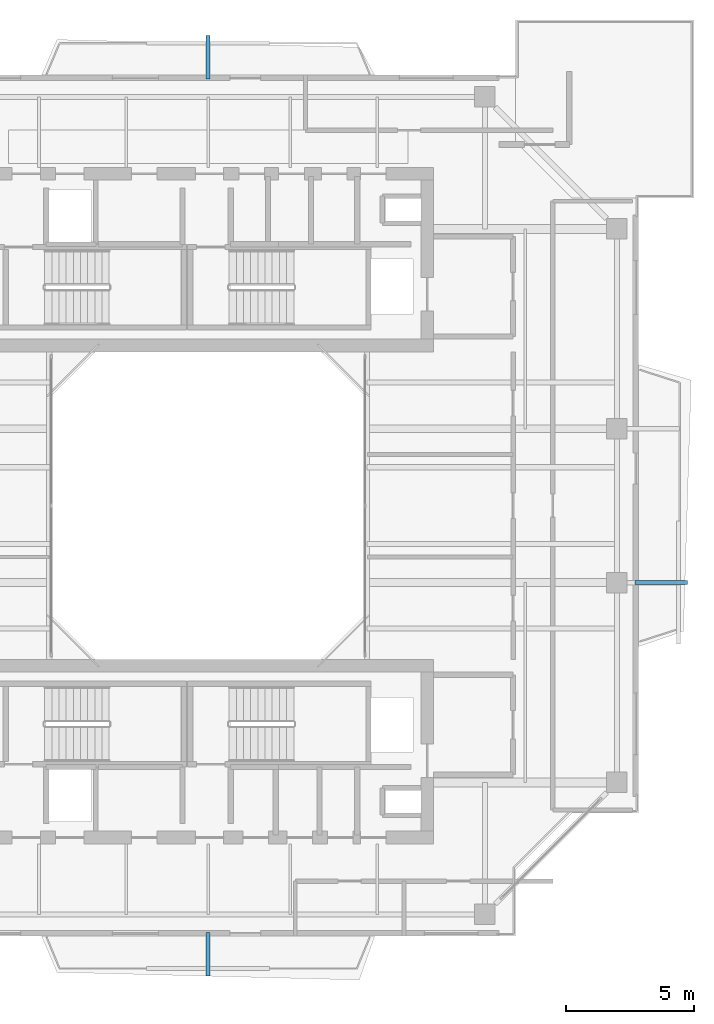
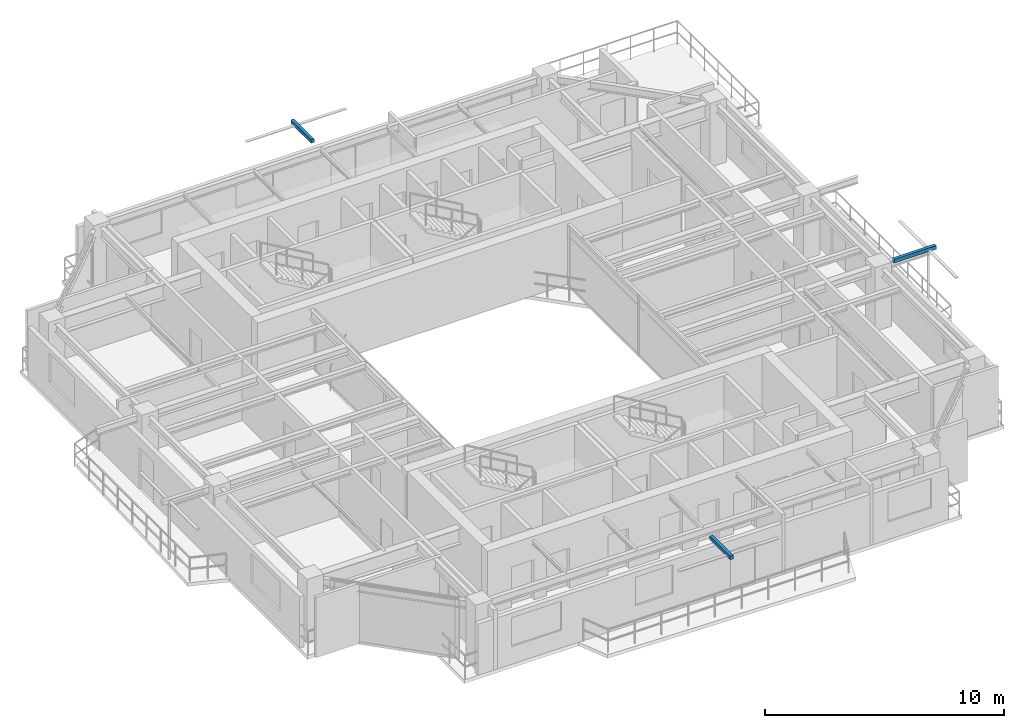
# One storey, part 13 of 16: 3 discrete accessories.
"""IFC4 building model written with IfcOpenShell, lengths in metres."""

from ifc_helpers import new_model, si_unit, direction, frame, origin, origin_2d, place, context, subcontext, project, spatial, rectangle, extrude, source, transform, mapped, material, type_object, element, save


model = new_model("IFC4")

# Units and contexts
model_context = context("Model", 3, precision=1e-05, world=origin(), true_north=direction((0.0, 1.0)))
body_context = subcontext(model_context, "Body", "Model", "MODEL_VIEW")
ifc_project = project(units=[si_unit("LENGTHUNIT", "METRE"), si_unit("AREAUNIT", "SQUARE_METRE"), si_unit("VOLUMEUNIT", "CUBIC_METRE"), si_unit("PLANEANGLEUNIT", "RADIAN"), si_unit("MASSUNIT", "GRAM", prefix="KILO"), si_unit("THERMODYNAMICTEMPERATUREUNIT", "KELVIN"), si_unit("POWERUNIT", "WATT")], contexts=[model_context])

# Site, building, storey
site_placement = place(None, origin())
site = spatial("IfcSite", under=ifc_project, at=site_placement, CompositionType="ELEMENT")
building_placement = place(site_placement, origin())
building = spatial("IfcBuilding", under=site, at=building_placement, Name="Qiaomeng Ring Towers", CompositionType="ELEMENT")
storey_placement = place(building_placement, frame((0.0, 0.0, 223.0)))
storey = spatial("IfcBuildingStorey", under=building, at=storey_placement, Name="L65", CompositionType="ELEMENT", Elevation=223.0)

# Discrete accessories
ifc_material = material(Name="Stainless steel 316", Category="steel")
discrete_accessory_type = type_object("IfcDiscreteAccessoryType", Name="ARC-ACC-BRACKET", PredefinedType="BRACKET", material=ifc_material)
shared_shape_1 = source(origin(), body_context, "Body", "SweptSolid", [
    extrude(rectangle(XDim=2.050048828125, YDim=0.159912109375, at=origin_2d()), origin(), (0.0, 0.0, 1.0), 0.179931640625),
])
discrete_accessory_1_placement = place(storey_placement, frame((36.675048828125, 20.0, 2.89990234375), z_axis=(0.0, 0.0, 1.0), x_axis=(1.0, 0.0, 0.0)))
element("IfcDiscreteAccessory", 1, at=discrete_accessory_1_placement, inside=storey, type_object=discrete_accessory_type, Name="L65 Stainless Outer-Skin Tie Bracket E", PredefinedType="BRACKET", context=body_context, shape_type="MappedRepresentation", body=[
    mapped(shared_shape_1, transform((0.0, 0.0, 0.0), x_axis=(1.0, 0.0, 0.0), y_axis=(0.0, 1.0, 0.0), z_axis=(0.0, 0.0, 1.0), scale=1.0)),
])
shared_shape_2 = source(origin(), body_context, "Body", "SweptSolid", [
    extrude(rectangle(XDim=0.159912109375, YDim=1.7099609375, at=origin_2d()), origin(), (0.0, 0.0, 1.0), 0.179931640625),
])
discrete_accessory_2_placement = place(storey_placement, frame((19.0, 5.4951171875, 2.89990234375), z_axis=(0.0, 0.0, 1.0), x_axis=(1.0, 0.0, 0.0)))
element("IfcDiscreteAccessory", 2, at=discrete_accessory_2_placement, inside=storey, type_object=discrete_accessory_type, Name="L65 Stainless Outer-Skin Tie Bracket S", PredefinedType="BRACKET", context=body_context, shape_type="MappedRepresentation", body=[
    mapped(shared_shape_2, transform((0.0, 0.0, 0.0), x_axis=(1.0, 0.0, 0.0), y_axis=(0.0, 1.0, 0.0), z_axis=(0.0, 0.0, 1.0), scale=1.0)),
])
shared_shape_3 = source(origin(), body_context, "Body", "SweptSolid", [
    extrude(rectangle(XDim=0.159912109375, YDim=1.68994140625, at=origin_2d()), origin(), (0.0, 0.0, 1.0), 0.179931640625),
])
discrete_accessory_3_placement = place(storey_placement, frame((19.0, 40.4951171875, 2.89990234375), z_axis=(0.0, 0.0, 1.0), x_axis=(1.0, 0.0, 0.0)))
element("IfcDiscreteAccessory", 3, at=discrete_accessory_3_placement, inside=storey, type_object=discrete_accessory_type, Name="L65 Stainless Outer-Skin Tie Bracket N", PredefinedType="BRACKET", context=body_context, shape_type="MappedRepresentation", body=[
    mapped(shared_shape_3, transform((0.0, 0.0, 0.0), x_axis=(1.0, 0.0, 0.0), y_axis=(0.0, 1.0, 0.0), z_axis=(0.0, 0.0, 1.0), scale=1.0)),
])

save(model, "model.ifc")
